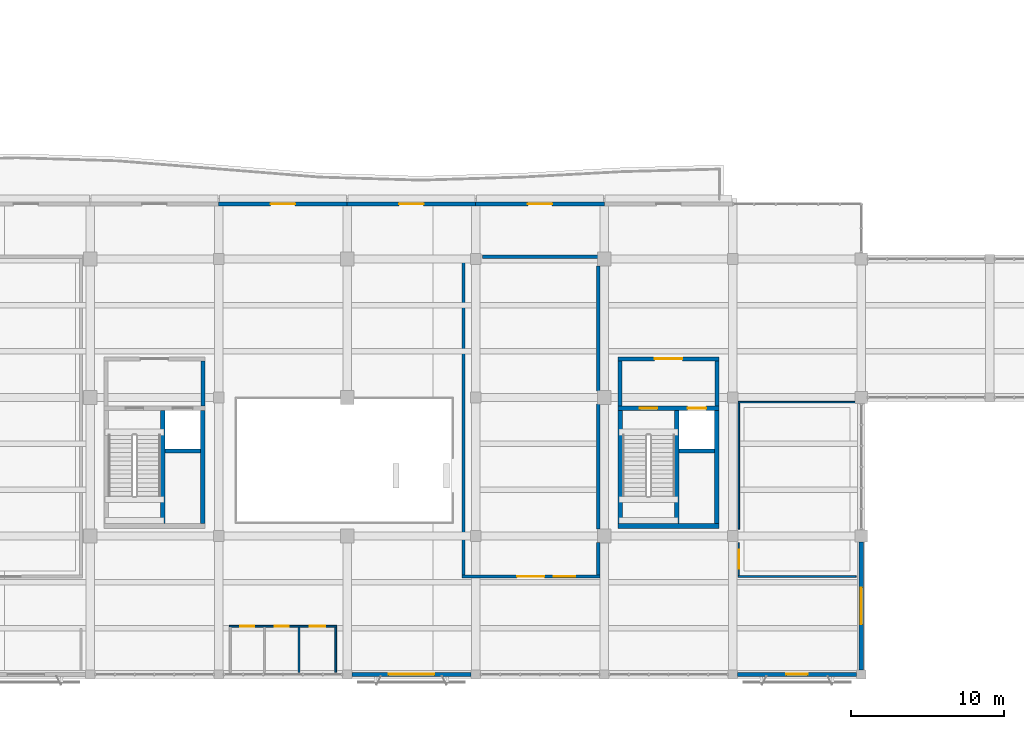
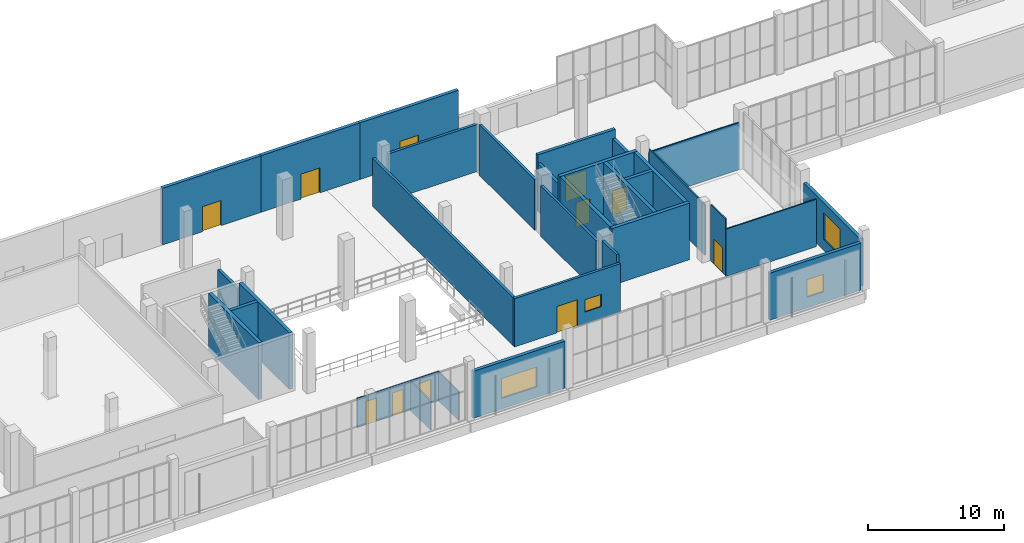
# One storey, part 113 of 132: 32 walls, 11 doors, 4 windows, 15 openings.
"""IFC4 building model written with IfcOpenShell, lengths in metres."""

import ifcopenshell
import ifcopenshell.guid

model = None  # the IFC model being written
_history = None  # IfcOwnerHistory: only IFC2X3 demands one
_inside = {}  # id of a spatial element -> (the spatial element, [elements in it])
_under = {}  # id of a project, library or spatial element -> (it, [spatial elements below it])
_declared = {}  # id of a project -> (the project, [libraries it declares])
_typed = {}  # id of a type object -> (the type object, [elements of that type])
_made_of = {}  # id of a material, layer set ... -> (it, [elements and type objects made of it])


def new_model(schema):
    """Start an empty IFC model of exactly this schema.

    Asked for "IFC4X3", IfcOpenShell would pick the latest addendum, in which some entities
    have other attributes; the version numbers below select the first issue.
    IFC2X3 requires an IfcOwnerHistory on every rooted entity: one is made here for all.
    """
    global model, _history
    if schema == "IFC4X3":
        model = ifcopenshell.file(schema_version=(4, 3, 0, 0))
    else:
        model = ifcopenshell.file(schema=schema)
    _inside.clear()
    _under.clear()
    _declared.clear()
    _typed.clear()
    _made_of.clear()
    _history = None
    if model.schema == "IFC2X3":
        org = make("IfcOrganization", Name="unknown")
        user = make(
            "IfcPersonAndOrganization",
            ThePerson=make("IfcPerson", FamilyName="unknown"),
            TheOrganization=org,
        )
        app = make(
            "IfcApplication",
            ApplicationDeveloper=org,
            Version="unknown",
            ApplicationFullName="unknown",
            ApplicationIdentifier="unknown",
        )
        _history = make(
            "IfcOwnerHistory",
            OwningUser=user,
            OwningApplication=app,
            ChangeAction="ADDED",
            CreationDate=0,
        )
    return model


def make(cls, **values):
    """One entity of the class cls with the attributes given. An attribute that is None is left unset."""
    return model.create_entity(
        cls, **{name: value for name, value in values.items() if value is not None}
    )


def rooted(cls, **values):
    """An entity with a GlobalId (a new one), such as an element, a storey or a relation."""
    return make(cls, GlobalId=ifcopenshell.guid.new(), OwnerHistory=_history, **values)


def si_unit(unit_type, name, prefix=None):
    """IfcSIUnit, for example si_unit("LENGTHUNIT", "METRE", prefix="MILLI")."""
    return make("IfcSIUnit", UnitType=unit_type, Prefix=prefix, Name=name)


def assignment(units):
    """IfcUnitAssignment: the units of a project."""
    return None if units is None else make("IfcUnitAssignment", Units=units)


def point(xyz):
    """IfcCartesianPoint."""
    return None if xyz is None else make("IfcCartesianPoint", Coordinates=xyz)


def direction(xyz):
    """IfcDirection."""
    return None if xyz is None else make("IfcDirection", DirectionRatios=xyz)


def frame(location, z_axis=None, x_axis=None):
    """IfcAxis2Placement3D, a coordinate frame: its origin and axes. An axis left out is left unset."""
    return make(
        "IfcAxis2Placement3D",
        Location=point(location),
        Axis=direction(z_axis),
        RefDirection=direction(x_axis),
    )


def frame_2d(location, x_axis=None):
    """IfcAxis2Placement2D, a coordinate frame in the plane: its origin and x axis."""
    return make(
        "IfcAxis2Placement2D", Location=point(location), RefDirection=direction(x_axis)
    )


def origin():
    """The frame at (0, 0, 0) with its axes left unset."""
    return frame((0.0, 0.0, 0.0))


def place(relative_to, where):
    """IfcLocalPlacement: puts the frame where relative to a parent placement (None: the world)."""
    return make(
        "IfcLocalPlacement", PlacementRelTo=relative_to, RelativePlacement=where
    )


def context(
    kind, dimensions, precision=None, world=None, true_north=None, identifier=None
):
    """IfcGeometricRepresentationContext, for example the 3D "Model" context."""
    return make(
        "IfcGeometricRepresentationContext",
        ContextIdentifier=identifier,
        ContextType=kind,
        CoordinateSpaceDimension=dimensions,
        Precision=precision,
        WorldCoordinateSystem=world,
        TrueNorth=true_north,
    )


def subcontext(parent, identifier, kind, view, scale=None):
    """IfcGeometricRepresentationSubContext, for example "Body" below "Model"."""
    return make(
        "IfcGeometricRepresentationSubContext",
        ContextIdentifier=identifier,
        ContextType=kind,
        ParentContext=parent,
        TargetScale=scale,
        TargetView=view,
    )


def project(units=None, contexts=None):
    """IfcProject with its units and contexts."""
    return rooted(
        "IfcProject",
        Name="project",
        RepresentationContexts=contexts,
        UnitsInContext=assignment(units),
    )


def spatial(cls, under=None, at=None, **own):
    """A site, building, storey or space (cls), placed at a placement, below another one or the project."""
    s = rooted(cls, ObjectPlacement=at, **own)
    if under is not None:
        _under.setdefault(under.id(), (under, []))[1].append(s)
    return s


def profile(cls, at=None, kind="AREA", **sizes):
    """A parametric profile (cls). Its sizes go by their IFC names, for example OverallWidth=200.0."""
    return make(cls, ProfileType=kind, Position=at, **sizes)


def rectangle(**sizes):
    """IfcRectangleProfileDef."""
    return profile("IfcRectangleProfileDef", **sizes)


def extrude(swept, where, along, depth):
    """IfcExtrudedAreaSolid: the profile swept, set in the frame where, extruded along a direction by depth."""
    return make(
        "IfcExtrudedAreaSolid",
        SweptArea=swept,
        Position=where,
        ExtrudedDirection=direction(along),
        Depth=depth,
    )


def shape(context_of_items, identifier, shape_type, items):
    """IfcShapeRepresentation: the items that make up one representation, for example the "Body"."""
    return make(
        "IfcShapeRepresentation",
        ContextOfItems=context_of_items,
        RepresentationIdentifier=identifier,
        RepresentationType=shape_type,
        Items=items,
    )


def material(Name=None, Category=None):
    """IfcMaterial."""
    return make("IfcMaterial", Name=Name, Category=Category)


def layer(
    of_material, thickness, ventilated=None, Name=None, Category=None, Priority=None
):
    """IfcMaterialLayer: one layer of a wall or slab, of a material (None: an air gap)."""
    return make(
        "IfcMaterialLayer",
        Material=of_material,
        LayerThickness=thickness,
        IsVentilated=ventilated,
        Name=Name,
        Category=Category,
        Priority=Priority,
    )


def layer_set(layers, Name=None):
    """IfcMaterialLayerSet."""
    return make("IfcMaterialLayerSet", MaterialLayers=layers, LayerSetName=Name)


def made_of(thing, what):
    """Note that an element or type object is made of a material, layer set ...; save() writes the relation."""
    if what is not None:
        _made_of.setdefault(what.id(), (what, []))[1].append(thing)
    return thing


def type_object(cls, material=None, **own):
    """A type object (cls), such as IfcWallType, which elements share."""
    return made_of(rooted(cls, **own), material)


def element(
    cls,
    number,
    at=None,
    inside=None,
    cuts=None,
    type_object=None,
    material=None,
    context=None,
    identifier="Body",
    shape_type=None,
    held_by="IfcProductDefinitionShape",
    body=None,
    shapes=None,
    **own,
):
    """One element of the class cls, such as IfcWall. Its Tag is "e" and its number.

    at: its placement. inside: the storey or other place that contains it. cuts: it is an
    opening in that element (IfcRelVoidsElement). A single representation is given by context,
    identifier, shape_type and body (its items); several are given by shapes. held_by: the class
    of the entity that holds the representations. save() writes the other relations.
    """
    e = rooted(cls, Tag="e%d" % number, ObjectPlacement=at, **own)
    if body is not None:
        shapes = [shape(context, identifier, shape_type, body)]
    if shapes is not None:
        e.Representation = make(held_by, Representations=shapes)
    if inside is not None:
        _inside.setdefault(inside.id(), (inside, []))[1].append(e)
    if cuts is not None:
        rooted(
            "IfcRelVoidsElement", RelatingBuildingElement=cuts, RelatedOpeningElement=e
        )
    if type_object is not None:
        _typed.setdefault(type_object.id(), (type_object, []))[1].append(e)
    return made_of(e, material)


def fill(opening, filler):
    """IfcRelFillsElement: the door or window that sits in an opening."""
    return rooted(
        "IfcRelFillsElement",
        RelatingOpeningElement=opening,
        RelatedBuildingElement=filler,
    )


def aggregate(whole, parts):
    """IfcRelAggregates: a whole, such as a stair, and the parts it consists of."""
    return rooted("IfcRelAggregates", RelatingObject=whole, RelatedObjects=parts)


def save(model, path):
    """Write the relations noted so far, then the file.

    IfcRelAggregates (storeys below a building ...), IfcRelContainedInSpatialStructure (elements
    in a storey), IfcRelDefinesByType, IfcRelAssociatesMaterial and IfcRelDeclares: one each for
    every whole, place, type object, material and project.
    """
    for whole, parts in _under.values():
        aggregate(whole, parts)
    for where, things in _inside.values():
        rooted(
            "IfcRelContainedInSpatialStructure",
            RelatedElements=things,
            RelatingStructure=where,
        )
    for kind, things in _typed.values():
        rooted("IfcRelDefinesByType", RelatedObjects=things, RelatingType=kind)
    for what, things in _made_of.values():
        rooted("IfcRelAssociatesMaterial", RelatedObjects=things, RelatingMaterial=what)
    for by, libraries in _declared.values():
        rooted("IfcRelDeclares", RelatingContext=by, RelatedDefinitions=libraries)
    model.write(path)


model = new_model("IFC4")

# Units and contexts
model_context = context("Model", 3, precision=1e-05, world=origin(), true_north=direction((0.0, 1.0)))
body_context = subcontext(model_context, "Body", "Model", "MODEL_VIEW")
ifc_project = project(units=[si_unit("LENGTHUNIT", "METRE"), si_unit("AREAUNIT", "SQUARE_METRE"), si_unit("VOLUMEUNIT", "CUBIC_METRE"), si_unit("PLANEANGLEUNIT", "RADIAN"), si_unit("MASSUNIT", "GRAM", prefix="KILO")], contexts=[model_context])

# Site, building, storey
site_placement = place(None, origin())
site = spatial("IfcSite", under=ifc_project, at=site_placement, CompositionType="ELEMENT")
building_placement = place(site_placement, origin())
building = spatial("IfcBuilding", under=site, at=building_placement, Name="Khurvash Pelagic Aquarium", CompositionType="ELEMENT")
storey_placement = place(building_placement, frame((0.0, 0.0, 5.39990234375)))
storey = spatial("IfcBuildingStorey", under=building, at=storey_placement, Name="L01", CompositionType="ELEMENT", Elevation=5.39990234375)

# Wall, opening, window
ifc_material_1 = material(Name="Glass-fibre reinforced concrete C40/50", Category="concrete")
ifc_layer_1 = layer(ifc_material_1, 0.280029296875)
ifc_layer_set_1 = layer_set([ifc_layer_1], Name="Glass-fibre reinforced concrete C40/50")
wall_type_1 = type_object("IfcWallType", Name="EW-280", PredefinedType="STANDARD", material=ifc_layer_set_1)
wall_1_placement = place(storey_placement, frame((75.905029296875, 2.60009765625, 0.0), z_axis=(0.0, 0.0, 1.0), x_axis=(1.0, 0.0, 0.0)))
wall_1 = element("IfcWall", 1, at=wall_1_placement, inside=storey, type_object=wall_type_1, Name="L01 Exterior Architectural Facade Wall EW-280 0041", PredefinedType="STANDARD", context=body_context, shape_type="SweptSolid", body=[
    extrude(rectangle(XDim=7.7900390625, YDim=0.280029296875, at=frame_2d((3.89501953125, 0.0))), origin(), (0.0, 0.0, 1.0), 4.22998046875),
])
opening_1_placement = place(wall_1_placement, frame((2.39501953125, 0.0, 0.9501953125)))
opening_1 = element("IfcOpeningElement", 2, at=opening_1_placement, cuts=wall_1, Name="Opening WN-06", PredefinedType="OPENING", context=body_context, shape_type="SweptSolid", body=[
    extrude(rectangle(XDim=3.0, YDim=1.800048828125, at=frame_2d((1.5, 0.89990234375))), frame((0.0, 0.14990234375, 0.0), z_axis=(0.0, -1.0, 0.0), x_axis=(1.0, 0.0, 0.0)), (0.0, 0.0, 1.0), 0.300048828125),
])
ifc_material_2 = material(Name="Thermally broken aluminium and low-E glass", Category="aluminium")
window_type_1 = type_object("IfcWindowType", Name="WN-06", PartitioningType="SINGLE_PANEL", PredefinedType="WINDOW", material=ifc_material_2)
window_1_placement = place(opening_1_placement, origin())
window_1 = element("IfcWindow", 3, at=window_1_placement, inside=storey, type_object=window_type_1, Name="L01 Facade Window WN-06 0021", OverallHeight=1.800048828125, OverallWidth=3.0, PartitioningType="SINGLE_PANEL", PredefinedType="WINDOW", context=body_context, shape_type="SweptSolid", body=[
    extrude(rectangle(XDim=3.0, YDim=1.800048828125, at=frame_2d((1.5, 0.89990234375))), frame((0.0, 0.030029296875, 0.0), z_axis=(0.0, -1.0, 0.0), x_axis=(1.0, 0.0, 0.0)), (0.0, 0.0, 1.0), 0.06005859375),
])
fill(opening_1, window_1)

wall_2_placement = place(storey_placement, frame((101.10498046875, 2.60009765625, 0.0), z_axis=(0.0, 0.0, 1.0), x_axis=(1.0, 0.0, 0.0)))
wall_2 = element("IfcWall", 4, at=wall_2_placement, inside=storey, type_object=wall_type_1, Name="L01 Exterior Architectural Facade Wall EW-280 0042", PredefinedType="STANDARD", context=body_context, shape_type="SweptSolid", body=[
    extrude(rectangle(XDim=7.7900390625, YDim=0.280029296875, at=frame_2d((3.89501953125, 0.0))), origin(), (0.0, 0.0, 1.0), 4.22998046875),
])
opening_2_placement = place(wall_2_placement, frame((3.195068359375, 0.0, 0.9501953125)))
opening_2 = element("IfcOpeningElement", 5, at=opening_2_placement, cuts=wall_2, Name="Opening WN-10", PredefinedType="OPENING", context=body_context, shape_type="SweptSolid", body=[
    extrude(rectangle(XDim=1.39990234375, YDim=1.60009765625, at=frame_2d((0.699951171875, 0.800048828125))), frame((0.0, 0.14990234375, 0.0), z_axis=(0.0, -1.0, 0.0), x_axis=(1.0, 0.0, 0.0)), (0.0, 0.0, 1.0), 0.300048828125),
])
window_type_2 = type_object("IfcWindowType", Name="WN-10", PartitioningType="SINGLE_PANEL", PredefinedType="WINDOW", material=ifc_material_2)
window_2_placement = place(opening_2_placement, origin())
window_2 = element("IfcWindow", 6, at=window_2_placement, inside=storey, type_object=window_type_2, Name="L01 Facade Window WN-10 0022", OverallHeight=1.60009765625, OverallWidth=1.39990234375, PartitioningType="SINGLE_PANEL", PredefinedType="WINDOW", context=body_context, shape_type="SweptSolid", body=[
    extrude(rectangle(XDim=1.39990234375, YDim=1.60009765625, at=frame_2d((0.699951171875, 0.800048828125))), frame((0.0, 0.030029296875, 0.0), z_axis=(0.0, -1.0, 0.0), x_axis=(1.0, 0.0, 0.0)), (0.0, 0.0, 1.0), 0.06005859375),
])
fill(opening_2, window_2)

wall_3_placement = place(storey_placement, frame((109.199951171875, 2.905029296875, 0.0), z_axis=(0.0, 0.0, 1.0), x_axis=(0.0, 1.0, 0.0)))
wall_3 = element("IfcWall", 7, at=wall_3_placement, inside=storey, type_object=wall_type_1, Name="L01 Exterior Architectural Facade Wall EW-280 0043", PredefinedType="STANDARD", context=body_context, shape_type="SweptSolid", body=[
    extrude(rectangle(XDim=8.340087890625, YDim=0.280029296875, at=frame_2d((4.169921875, 0.0))), origin(), (0.0, 0.0, 1.0), 4.25),
])
opening_3_placement = place(wall_3_placement, frame((2.969970703125, 0.0, 0.9501953125)))
opening_3 = element("IfcOpeningElement", 8, at=opening_3_placement, cuts=wall_3, Name="Opening WN-02", PredefinedType="OPENING", context=body_context, shape_type="SweptSolid", body=[
    extrude(rectangle(XDim=2.39990234375, YDim=2.39990234375, at=frame_2d((1.199951171875, 1.199951171875))), frame((0.0, 0.14990234375, 0.0), z_axis=(0.0, -1.0, 0.0), x_axis=(1.0, 0.0, 0.0)), (0.0, 0.0, 1.0), 0.300048828125),
])
window_type_3 = type_object("IfcWindowType", Name="WN-02", PartitioningType="SINGLE_PANEL", PredefinedType="WINDOW", material=ifc_material_2)
window_3_placement = place(opening_3_placement, origin())
window_3 = element("IfcWindow", 9, at=window_3_placement, inside=storey, type_object=window_type_3, Name="L01 Facade Window WN-02 0023", OverallHeight=2.39990234375, OverallWidth=2.39990234375, PartitioningType="SINGLE_PANEL", PredefinedType="WINDOW", context=body_context, shape_type="SweptSolid", body=[
    extrude(rectangle(XDim=2.39990234375, YDim=2.39990234375, at=frame_2d((1.199951171875, 1.199951171875))), frame((0.0, 0.030029296875, 0.0), z_axis=(0.0, -1.0, 0.0), x_axis=(1.0, 0.0, 0.0)), (0.0, 0.0, 1.0), 0.06005859375),
])
fill(opening_3, window_3)

# Wall, opening, door
wall_4_placement = place(storey_placement, frame((92.39990234375, 33.35009765625, 0.0), z_axis=(0.0, 0.0, 1.0), x_axis=(-1.0, 0.0, 0.0)))
wall_4 = element("IfcWall", 10, at=wall_4_placement, inside=storey, type_object=wall_type_1, Name="L01 Exterior Architectural Facade Wall EW-280 0057", PredefinedType="STANDARD", context=body_context, shape_type="SweptSolid", body=[
    extrude(rectangle(XDim=8.39990234375, YDim=0.280029296875, at=frame_2d((4.199951171875, 0.0))), origin(), (0.0, 0.0, 1.0), 5.10009765625),
])
opening_4_placement = place(wall_4_placement, frame((3.39990234375, 0.0, 0.0)))
opening_4 = element("IfcOpeningElement", 11, at=opening_4_placement, cuts=wall_4, Name="Opening ED-03", PredefinedType="OPENING", context=body_context, shape_type="SweptSolid", body=[
    extrude(rectangle(XDim=1.60009765625, YDim=2.25, at=frame_2d((0.800048828125, 1.125))), frame((0.0, 0.14990234375, 0.0), z_axis=(0.0, -1.0, 0.0), x_axis=(1.0, 0.0, 0.0)), (0.0, 0.0, 1.0), 0.300048828125),
])
ifc_material_3 = material(Name="Thermally broken glazed aluminium", Category="aluminium")
door_type_1 = type_object("IfcDoorType", Name="ED-03", OperationType="DOUBLE_DOOR_SINGLE_SWING", PredefinedType="DOOR", material=ifc_material_3)
door_1_placement = place(opening_4_placement, frame((1.60009765625, 0.0, 0.0), z_axis=(0.0, 0.0, 1.0), x_axis=(-1.0, 0.0, 0.0)))
door_1 = element("IfcDoor", 12, at=door_1_placement, inside=storey, type_object=door_type_1, Name="DR-0103", OperationType="DOUBLE_DOOR_SINGLE_SWING", OverallHeight=2.25, OverallWidth=1.60009765625, PredefinedType="DOOR", context=body_context, shape_type="SweptSolid", body=[
    extrude(rectangle(XDim=1.60009765625, YDim=2.25, at=frame_2d((0.800048828125, 1.125))), frame((0.0, 0.02490234375, 0.0), z_axis=(0.0, -1.0, 0.0), x_axis=(1.0, 0.0, 0.0)), (0.0, 0.0, 1.0), 0.050048828125),
])
fill(opening_4, door_1)

wall_5_placement = place(storey_placement, frame((84.0, 33.35009765625, 0.0), z_axis=(0.0, 0.0, 1.0), x_axis=(-1.0, 0.0, 0.0)))
wall_5 = element("IfcWall", 13, at=wall_5_placement, inside=storey, type_object=wall_type_1, Name="L01 Exterior Architectural Facade Wall EW-280 0058", PredefinedType="STANDARD", context=body_context, shape_type="SweptSolid", body=[
    extrude(rectangle(XDim=8.39990234375, YDim=0.280029296875, at=frame_2d((4.199951171875, 0.0))), origin(), (0.0, 0.0, 1.0), 5.10009765625),
])
opening_5_placement = place(wall_5_placement, frame((3.39990234375, 0.0, 0.0)))
opening_5 = element("IfcOpeningElement", 14, at=opening_5_placement, cuts=wall_5, Name="Opening ED-03", PredefinedType="OPENING", context=body_context, shape_type="SweptSolid", body=[
    extrude(rectangle(XDim=1.60009765625, YDim=2.25, at=frame_2d((0.800048828125, 1.125))), frame((0.0, 0.14990234375, 0.0), z_axis=(0.0, -1.0, 0.0), x_axis=(1.0, 0.0, 0.0)), (0.0, 0.0, 1.0), 0.300048828125),
])
door_2_placement = place(opening_5_placement, frame((1.60009765625, 0.0, 0.0), z_axis=(0.0, 0.0, 1.0), x_axis=(-1.0, 0.0, 0.0)))
door_2 = element("IfcDoor", 15, at=door_2_placement, inside=storey, type_object=door_type_1, Name="DR-0104", OperationType="DOUBLE_DOOR_SINGLE_SWING", OverallHeight=2.25, OverallWidth=1.60009765625, PredefinedType="DOOR", context=body_context, shape_type="SweptSolid", body=[
    extrude(rectangle(XDim=1.60009765625, YDim=2.25, at=frame_2d((0.800048828125, 1.125))), frame((0.0, 0.02490234375, 0.0), z_axis=(0.0, -1.0, 0.0), x_axis=(1.0, 0.0, 0.0)), (0.0, 0.0, 1.0), 0.050048828125),
])
fill(opening_5, door_2)

wall_6_placement = place(storey_placement, frame((75.60009765625, 33.35009765625, 0.0), z_axis=(0.0, 0.0, 1.0), x_axis=(-1.0, 0.0, 0.0)))
wall_6 = element("IfcWall", 16, at=wall_6_placement, inside=storey, type_object=wall_type_1, Name="L01 Exterior Architectural Facade Wall EW-280 0059", PredefinedType="STANDARD", context=body_context, shape_type="SweptSolid", body=[
    extrude(rectangle(XDim=8.400146484375, YDim=0.280029296875, at=frame_2d((4.2001953125, 0.0))), origin(), (0.0, 0.0, 1.0), 5.10009765625),
])
opening_6_placement = place(wall_6_placement, frame((3.39990234375, 0.0, 0.0)))
opening_6 = element("IfcOpeningElement", 17, at=opening_6_placement, cuts=wall_6, Name="Opening ED-03", PredefinedType="OPENING", context=body_context, shape_type="SweptSolid", body=[
    extrude(rectangle(XDim=1.60009765625, YDim=2.25, at=frame_2d((0.800048828125, 1.125))), frame((0.0, 0.14990234375, 0.0), z_axis=(0.0, -1.0, 0.0), x_axis=(1.0, 0.0, 0.0)), (0.0, 0.0, 1.0), 0.300048828125),
])
door_3_placement = place(opening_6_placement, frame((1.60009765625, 0.0, 0.0), z_axis=(0.0, 0.0, 1.0), x_axis=(-1.0, 0.0, 0.0)))
door_3 = element("IfcDoor", 18, at=door_3_placement, inside=storey, type_object=door_type_1, Name="DR-0105", OperationType="DOUBLE_DOOR_SINGLE_SWING", OverallHeight=2.25, OverallWidth=1.60009765625, PredefinedType="DOOR", context=body_context, shape_type="SweptSolid", body=[
    extrude(rectangle(XDim=1.60009765625, YDim=2.25, at=frame_2d((0.800048828125, 1.125))), frame((0.0, 0.02490234375, 0.0), z_axis=(0.0, -1.0, 0.0), x_axis=(1.0, 0.0, 0.0)), (0.0, 0.0, 1.0), 0.050048828125),
])
fill(opening_6, door_3)

# Wall, openings, doors
ifc_material_4 = material(Name="Ceramic-tiled wet-room partition", Category="masonry")
ifc_layer_2 = layer(ifc_material_4, 0.110107421875)
ifc_layer_set_2 = layer_set([ifc_layer_2], Name="Ceramic-tiled wet-room partition")
wall_type_2 = type_object("IfcWallType", Name="PW-110", PredefinedType="PARTITIONING", material=ifc_layer_set_2)
wall_7_placement = place(storey_placement, frame((67.89501953125, 5.75, 0.0), z_axis=(0.0, 0.0, 1.0), x_axis=(1.0, 0.0, 0.0)))
wall_7 = element("IfcWall", 19, at=wall_7_placement, inside=storey, type_object=wall_type_2, Name="L01 Restroom Bank Corridor Wall PW-110", PredefinedType="PARTITIONING", context=body_context, shape_type="SweptSolid", body=[
    extrude(rectangle(XDim=7.010009765625, YDim=0.110107421875, at=frame_2d((3.5048828125, 0.0))), origin(), (0.0, 0.0, 1.0), 2.6220703125),
])
opening_7_placement = place(wall_7_placement, frame((0.719970703125, 0.0, 0.0)))
opening_7 = element("IfcOpeningElement", 20, at=opening_7_placement, cuts=wall_7, Name="Opening ID-01", PredefinedType="OPENING", context=body_context, shape_type="SweptSolid", body=[
    extrude(rectangle(XDim=0.919921875, YDim=2.10009765625, at=frame_2d((0.4599609375, 1.050048828125))), frame((0.0, 0.06494140625, 0.0), z_axis=(0.0, -1.0, 0.0), x_axis=(1.0, 0.0, 0.0)), (0.0, 0.0, 1.0), 0.130126953125),
])
opening_8_placement = place(wall_7_placement, frame((2.969970703125, 0.0, 0.0)))
opening_8 = element("IfcOpeningElement", 21, at=opening_8_placement, cuts=wall_7, Name="Opening ID-01", PredefinedType="OPENING", context=body_context, shape_type="SweptSolid", body=[
    extrude(rectangle(XDim=0.919921875, YDim=2.10009765625, at=frame_2d((0.4599609375, 1.050048828125))), frame((0.0, 0.06494140625, 0.0), z_axis=(0.0, -1.0, 0.0), x_axis=(1.0, 0.0, 0.0)), (0.0, 0.0, 1.0), 0.130126953125),
])
opening_9_placement = place(wall_7_placement, frame((5.2548828125, 0.0, 0.0)))
opening_9 = element("IfcOpeningElement", 22, at=opening_9_placement, cuts=wall_7, Name="Opening ID-02", PredefinedType="OPENING", context=body_context, shape_type="SweptSolid", body=[
    extrude(rectangle(XDim=1.0, YDim=2.14990234375, at=frame_2d((0.5, 1.074951171875))), frame((0.0, 0.06494140625, 0.0), z_axis=(0.0, -1.0, 0.0), x_axis=(1.0, 0.0, 0.0)), (0.0, 0.0, 1.0), 0.130126953125),
])
ifc_material_5 = material(Name="High-pressure laminate solid-core timber", Category="wood")
door_type_2 = type_object("IfcDoorType", Name="ID-01", OperationType="NOTDEFINED", PredefinedType="DOOR", material=ifc_material_5)
door_4_placement = place(opening_7_placement, origin())
door_4 = element("IfcDoor", 23, at=door_4_placement, inside=storey, type_object=door_type_2, Name="DR-0111", OperationType="SINGLE_SWING_LEFT", OverallHeight=2.10009765625, OverallWidth=0.919921875, PredefinedType="DOOR", context=body_context, shape_type="SweptSolid", body=[
    extrude(rectangle(XDim=0.919921875, YDim=2.10009765625, at=frame_2d((0.4599609375, 1.050048828125))), frame((0.0, 0.02490234375, 0.0), z_axis=(0.0, -1.0, 0.0), x_axis=(1.0, 0.0, 0.0)), (0.0, 0.0, 1.0), 0.050048828125),
])
fill(opening_7, door_4)
door_5_placement = place(opening_8_placement, origin())
door_5 = element("IfcDoor", 24, at=door_5_placement, inside=storey, type_object=door_type_2, Name="DR-0112", OperationType="SINGLE_SWING_RIGHT", OverallHeight=2.10009765625, OverallWidth=0.919921875, PredefinedType="DOOR", context=body_context, shape_type="SweptSolid", body=[
    extrude(rectangle(XDim=0.919921875, YDim=2.10009765625, at=frame_2d((0.4599609375, 1.050048828125))), frame((0.0, 0.02490234375, 0.0), z_axis=(0.0, -1.0, 0.0), x_axis=(1.0, 0.0, 0.0)), (0.0, 0.0, 1.0), 0.050048828125),
])
fill(opening_8, door_5)
door_type_3 = type_object("IfcDoorType", Name="ID-02", OperationType="NOTDEFINED", PredefinedType="DOOR", material=ifc_material_5)
door_6_placement = place(opening_9_placement, origin())
door_6 = element("IfcDoor", 25, at=door_6_placement, inside=storey, type_object=door_type_3, Name="DR-0113", OperationType="SINGLE_SWING_LEFT", OverallHeight=2.14990234375, OverallWidth=1.0, PredefinedType="DOOR", context=body_context, shape_type="SweptSolid", body=[
    extrude(rectangle(XDim=1.0, YDim=2.14990234375, at=frame_2d((0.5, 1.074951171875))), frame((0.0, 0.02490234375, 0.0), z_axis=(0.0, -1.0, 0.0), x_axis=(1.0, 0.0, 0.0)), (0.0, 0.0, 1.0), 0.050048828125),
])
fill(opening_9, door_6)

# Walls
for number, where, z_axis, x_axis, name in (
    (26, (72.449951171875, 2.739990234375, 0.0), (0.0, 0.0, 1.0), (0.0, 1.0, 0.0), "L01 Restroom Divider Partition PW-110"),
    (27, (74.85009765625, 2.739990234375, 0.0), (0.0, 0.0, 1.0), (0.0, 1.0, 0.0), "L01 Restroom Divider Partition PW-110"),
):
    element("IfcWall", number, at=place(storey_placement, frame(where, z_axis=z_axis, x_axis=x_axis)), inside=storey, type_object=wall_type_2, Name=name, PredefinedType="PARTITIONING", context=body_context, shape_type="SweptSolid", body=[
        extrude(rectangle(XDim=2.955078125, YDim=0.110107421875, at=frame_2d((1.4775390625, 0.0))), origin(), (0.0, 0.0, 1.0), 2.6220703125),
    ])

# Wall, opening, door
wall_8_placement = place(storey_placement, frame((101.199951171875, 9.054931640625, 0.0), z_axis=(0.0, 0.0, 1.0), x_axis=(0.0, 1.0, 0.0)))
wall_8 = element("IfcWall", 28, at=wall_8_placement, inside=storey, type_object=wall_type_2, Name="L01 Jellyfish Kreisel Gallery Partition Wall PW-110", PredefinedType="PARTITIONING", context=body_context, shape_type="SweptSolid", body=[
    extrude(rectangle(XDim=2.155029296875, YDim=0.110107421875, at=frame_2d((1.07763671875, 0.0))), origin(), (0.0, 0.0, 1.0), 5.10009765625),
])
opening_10_placement = place(wall_8_placement, frame((0.447021484375, 0.0, 0.0)))
opening_10 = element("IfcOpeningElement", 29, at=opening_10_placement, cuts=wall_8, Name="Opening ID-30", PredefinedType="OPENING", context=body_context, shape_type="SweptSolid", body=[
    extrude(rectangle(XDim=1.260009765625, YDim=2.280029296875, at=frame_2d((0.6298828125, 1.14013671875))), frame((0.0, 0.06494140625, 0.0), z_axis=(0.0, -1.0, 0.0), x_axis=(1.0, 0.0, 0.0)), (0.0, 0.0, 1.0), 0.130126953125),
])
ifc_material_6 = material(Name="FRP quarantine prep door", Category="wood")
door_type_4 = type_object("IfcDoorType", Name="ID-30", OperationType="NOTDEFINED", PredefinedType="DOOR", material=ifc_material_6)
door_7_placement = place(opening_10_placement, frame((1.260009765625, 0.0, 0.0), z_axis=(0.0, 0.0, 1.0), x_axis=(-1.0, 0.0, 0.0)))
door_7 = element("IfcDoor", 30, at=door_7_placement, inside=storey, type_object=door_type_4, Name="DR-0117", OperationType="SINGLE_SWING_RIGHT", OverallHeight=2.280029296875, OverallWidth=1.260009765625, PredefinedType="DOOR", context=body_context, shape_type="SweptSolid", body=[
    extrude(rectangle(XDim=1.260009765625, YDim=2.280029296875, at=frame_2d((0.6298828125, 1.14013671875))), frame((0.0, 0.02490234375, 0.0), z_axis=(0.0, -1.0, 0.0), x_axis=(1.0, 0.0, 0.0)), (0.0, 0.0, 1.0), 0.050048828125),
])
fill(opening_10, door_7)

# Walls
wall_9_placement = place(storey_placement, frame((101.199951171875, 12.090087890625, 0.0), z_axis=(0.0, 0.0, 1.0), x_axis=(0.0, 1.0, 0.0)))
element("IfcWall", 31, at=wall_9_placement, inside=storey, type_object=wall_type_2, Name="L01 Jellyfish Kreisel Gallery Partition Wall PW-110", PredefinedType="PARTITIONING", context=body_context, shape_type="SweptSolid", body=[
    extrude(rectangle(XDim=8.2548828125, YDim=0.110107421875, at=frame_2d((4.12744140625, 0.0))), origin(), (0.0, 0.0, 1.0), 4.550048828125),
])
for number, where, z_axis, x_axis, name in (
    (32, (101.14501953125, 20.39990234375, 0.0), (0.0, 0.0, 1.0), (1.0, 0.0, 0.0), "L01 Jellyfish Kreisel Gallery Partition Wall PW-110"),
    (33, (101.14501953125, 9.0, 0.0), (0.0, 0.0, 1.0), (1.0, 0.0, 0.0), "L01 Jellyfish Kreisel Gallery Partition Wall PW-110"),
):
    element("IfcWall", number, at=place(storey_placement, frame(where, z_axis=z_axis, x_axis=x_axis)), inside=storey, type_object=wall_type_2, Name=name, PredefinedType="PARTITIONING", context=body_context, shape_type="SweptSolid", body=[
        extrude(rectangle(XDim=7.7099609375, YDim=0.110107421875, at=frame_2d((3.85498046875, 0.0))), origin(), (0.0, 0.0, 1.0), 4.25),
    ])

# Wall, openings, door, window
ifc_material_7 = material(Name="AAC blockwork", Category="masonry")
ifc_layer_3 = layer(ifc_material_7, 0.215087890625)
ifc_layer_set_3 = layer_set([ifc_layer_3], Name="AAC blockwork")
wall_type_3 = type_object("IfcWallType", Name="PW-215", PredefinedType="PARTITIONING", material=ifc_layer_set_3)
wall_10_placement = place(storey_placement, frame((83.093017578125, 9.0, 0.0), z_axis=(0.0, 0.0, 1.0), x_axis=(1.0, 0.0, 0.0)))
wall_10 = element("IfcWall", 34, at=wall_10_placement, inside=storey, type_object=wall_type_3, Name="L01 Seahorse and Cephalopod Gallery Partition Wall PW-215", PredefinedType="PARTITIONING", context=body_context, shape_type="SweptSolid", body=[
    extrude(rectangle(XDim=9.014892578125, YDim=0.215087890625, at=frame_2d((4.50732421875, 0.0))), origin(), (0.0, 0.0, 1.0), 4.35009765625),
])
opening_11_placement = place(wall_10_placement, frame((3.617919921875, 0.0, 0.0)))
opening_11 = element("IfcOpeningElement", 35, at=opening_11_placement, cuts=wall_10, Name="Opening ID-34", PredefinedType="OPENING", context=body_context, shape_type="SweptSolid", body=[
    extrude(rectangle(XDim=1.780029296875, YDim=2.3798828125, at=frame_2d((0.89013671875, 1.18994140625))), frame((0.0, 0.11767578125, 0.0), z_axis=(0.0, -1.0, 0.0), x_axis=(1.0, 0.0, 0.0)), (0.0, 0.0, 1.0), 0.235107421875),
])
opening_12_placement = place(wall_10_placement, frame((5.998046875, 0.0, 1.050048828125)))
opening_12 = element("IfcOpeningElement", 36, at=opening_12_placement, cuts=wall_10, Name="Opening IW-11", PredefinedType="OPENING", context=body_context, shape_type="SweptSolid", body=[
    extrude(rectangle(XDim=1.39990234375, YDim=1.10009765625, at=frame_2d((0.699951171875, 0.550048828125))), frame((0.0, 0.11767578125, 0.0), z_axis=(0.0, -1.0, 0.0), x_axis=(1.0, 0.0, 0.0)), (0.0, 0.0, 1.0), 0.235107421875),
])
ifc_material_8 = material(Name="Freshwater hall double door", Category="wood")
door_type_5 = type_object("IfcDoorType", Name="ID-34", OperationType="DOUBLE_DOOR_SINGLE_SWING", PredefinedType="DOOR", material=ifc_material_8)
door_8_placement = place(opening_11_placement, origin())
door_8 = element("IfcDoor", 37, at=door_8_placement, inside=storey, type_object=door_type_5, Name="DR-0116", OperationType="DOUBLE_DOOR_SINGLE_SWING", OverallHeight=2.3798828125, OverallWidth=1.780029296875, PredefinedType="DOOR", context=body_context, shape_type="SweptSolid", body=[
    extrude(rectangle(XDim=1.780029296875, YDim=2.3798828125, at=frame_2d((0.89013671875, 1.18994140625))), frame((0.0, 0.02490234375, 0.0), z_axis=(0.0, -1.0, 0.0), x_axis=(1.0, 0.0, 0.0)), (0.0, 0.0, 1.0), 0.050048828125),
])
fill(opening_11, door_8)
ifc_material_9 = material(Name="Acoustic laminated interior observation glazing", Category="glass")
window_type_4 = type_object("IfcWindowType", Name="IW-11", PartitioningType="SINGLE_PANEL", PredefinedType="WINDOW", material=ifc_material_9)
window_4_placement = place(opening_12_placement, origin())
window_4 = element("IfcWindow", 38, at=window_4_placement, inside=storey, type_object=window_type_4, Name="L01 Seahorse and Cephalopod Gallery Observation Window IW-11", OverallHeight=1.10009765625, OverallWidth=1.39990234375, PartitioningType="SINGLE_PANEL", PredefinedType="WINDOW", context=body_context, shape_type="SweptSolid", body=[
    extrude(rectangle(XDim=1.39990234375, YDim=1.10009765625, at=frame_2d((0.699951171875, 0.550048828125))), frame((0.0, 0.030029296875, 0.0), z_axis=(0.0, -1.0, 0.0), x_axis=(1.0, 0.0, 0.0)), (0.0, 0.0, 1.0), 0.06005859375),
])
fill(opening_12, window_4)

# Walls
wall_11_placement = place(storey_placement, frame((84.43994140625, 29.89990234375, 0.0), z_axis=(0.0, 0.0, 1.0), x_axis=(1.0, 0.0, 0.0)))
element("IfcWall", 39, at=wall_11_placement, inside=storey, type_object=wall_type_3, Name="L01 Seahorse and Cephalopod Gallery Partition Wall PW-215", PredefinedType="PARTITIONING", context=body_context, shape_type="SweptSolid", body=[
    extrude(rectangle(XDim=7.66796875, YDim=0.215087890625, at=frame_2d((3.833984375, 0.0))), origin(), (0.0, 0.0, 1.0), 4.22998046875),
])
wall_12_placement = place(storey_placement, frame((92.0, 9.10693359375, 0.0), z_axis=(0.0, 0.0, 1.0), x_axis=(0.0, 1.0, 0.0)))
element("IfcWall", 40, at=wall_12_placement, inside=storey, type_object=wall_type_3, Name="L01 Seahorse and Cephalopod Gallery Partition Wall PW-215", PredefinedType="PARTITIONING", context=body_context, shape_type="SweptSolid", body=[
    extrude(rectangle(XDim=2.10302734375, YDim=0.215087890625, at=frame_2d((1.051513671875, 0.0))), origin(), (0.0, 0.0, 1.0), 5.10009765625),
])
wall_13_placement = place(storey_placement, frame((92.0, 12.090087890625, 0.0), z_axis=(0.0, 0.0, 1.0), x_axis=(0.0, 1.0, 0.0)))
element("IfcWall", 41, at=wall_13_placement, inside=storey, type_object=wall_type_3, Name="L01 Seahorse and Cephalopod Gallery Partition Wall PW-215", PredefinedType="PARTITIONING", context=body_context, shape_type="SweptSolid", body=[
    extrude(rectangle(XDim=8.169921875, YDim=0.215087890625, at=frame_2d((4.0849609375, 0.0))), origin(), (0.0, 0.0, 1.0), 4.550048828125),
])
wall_14_placement = place(storey_placement, frame((92.0, 21.139892578125, 0.0), z_axis=(0.0, 0.0, 1.0), x_axis=(0.0, 1.0, 0.0)))
element("IfcWall", 42, at=wall_14_placement, inside=storey, type_object=wall_type_3, Name="L01 Seahorse and Cephalopod Gallery Partition Wall PW-215", PredefinedType="PARTITIONING", context=body_context, shape_type="SweptSolid", body=[
    extrude(rectangle(XDim=8.170166015625, YDim=0.215087890625, at=frame_2d((4.0849609375, 0.0))), origin(), (0.0, 0.0, 1.0), 4.550048828125),
])
wall_15_placement = place(storey_placement, frame((83.199951171875, 9.10693359375, 0.0), z_axis=(0.0, 0.0, 1.0), x_axis=(0.0, 1.0, 0.0)))
element("IfcWall", 43, at=wall_15_placement, inside=storey, type_object=wall_type_3, Name="L01 Seahorse and Cephalopod Gallery Partition Wall PW-215", PredefinedType="PARTITIONING", context=body_context, shape_type="SweptSolid", body=[
    extrude(rectangle(XDim=20.68505859375, YDim=0.215087890625, at=frame_2d((10.342529296875, 0.0))), origin(), (0.0, 0.0, 1.0), 4.330078125),
])
ifc_layer_4 = layer(ifc_material_7, 0.25)
ifc_layer_set_4 = layer_set([ifc_layer_4], Name="AAC blockwork")
wall_type_4 = type_object("IfcWallType", Name="PW-250", PredefinedType="PARTITIONING", material=ifc_layer_set_4)
wall_16_placement = place(storey_placement, frame((66.175048828125, 20.14990234375, 0.0), z_axis=(0.0, 0.0, 1.0), x_axis=(0.0, 1.0, 0.0)))
element("IfcWall", 44, at=wall_16_placement, inside=storey, type_object=wall_type_4, Name="L01 Core C2 Lobby East Fire Wall PW-250", PredefinedType="PARTITIONING", context=body_context, shape_type="SweptSolid", body=[
    extrude(rectangle(XDim=2.9501953125, YDim=0.25, at=frame_2d((1.47509765625, 0.0))), origin(), (0.0, 0.0, 1.0), 4.330078125),
])

# Wall, opening, door
wall_17_placement = place(storey_placement, frame((93.300048828125, 23.22509765625, 0.0), z_axis=(0.0, 0.0, 1.0), x_axis=(1.0, 0.0, 0.0)))
wall_17 = element("IfcWall", 45, at=wall_17_placement, inside=storey, type_object=wall_type_4, Name="L01 Core C3 Lobby Front Fire Wall PW-250", PredefinedType="PARTITIONING", context=body_context, shape_type="SweptSolid", body=[
    extrude(rectangle(XDim=6.599853515625, YDim=0.25, at=frame_2d((3.2998046875, 0.0))), origin(), (0.0, 0.0, 1.0), 5.10009765625),
])
opening_13_placement = place(wall_17_placement, frame((2.39990234375, 0.0, 0.0)))
opening_13 = element("IfcOpeningElement", 46, at=opening_13_placement, cuts=wall_17, Name="Opening FD-02", PredefinedType="OPENING", context=body_context, shape_type="SweptSolid", body=[
    extrude(rectangle(XDim=1.800048828125, YDim=2.25, at=frame_2d((0.89990234375, 1.125))), frame((0.0, 0.135009765625, 0.0), z_axis=(0.0, -1.0, 0.0), x_axis=(1.0, 0.0, 0.0)), (0.0, 0.0, 1.0), 0.27001953125),
])
ifc_material_10 = material(Name="Galvanised steel double fire door", Category="steel")
door_type_6 = type_object("IfcDoorType", Name="FD-02", OperationType="DOUBLE_DOOR_SINGLE_SWING", PredefinedType="DOOR", material=ifc_material_10)
door_9_placement = place(opening_13_placement, origin())
door_9 = element("IfcDoor", 47, at=door_9_placement, inside=storey, type_object=door_type_6, Name="DR-0128", OperationType="DOUBLE_DOOR_SINGLE_SWING", OverallHeight=2.25, OverallWidth=1.800048828125, PredefinedType="DOOR", context=body_context, shape_type="SweptSolid", body=[
    extrude(rectangle(XDim=1.800048828125, YDim=2.25, at=frame_2d((0.89990234375, 1.125))), frame((0.0, 0.02490234375, 0.0), z_axis=(0.0, -1.0, 0.0), x_axis=(1.0, 0.0, 0.0)), (0.0, 0.0, 1.0), 0.050048828125),
])
fill(opening_13, door_9)

# Walls
for number, where, z_axis, x_axis, name in (
    (48, (93.425048828125, 20.14990234375, 0.0), (0.0, 0.0, 1.0), (0.0, 1.0, 0.0), "L01 Core C3 Lobby West Fire Wall PW-250"),
    (49, (99.77490234375, 20.14990234375, 0.0), (0.0, 0.0, 1.0), (0.0, 1.0, 0.0), "L01 Core C3 Lobby East Fire Wall PW-250"),
):
    element("IfcWall", number, at=place(storey_placement, frame(where, z_axis=z_axis, x_axis=x_axis)), inside=storey, type_object=wall_type_4, Name=name, PredefinedType="PARTITIONING", context=body_context, shape_type="SweptSolid", body=[
        extrude(rectangle(XDim=2.9501953125, YDim=0.25, at=frame_2d((1.47509765625, 0.0))), origin(), (0.0, 0.0, 1.0), 4.330078125),
    ])
ifc_material_11 = material(Name="Concrete C40/50", Category="concrete")
ifc_layer_5 = layer(ifc_material_11, 0.27490234375)
ifc_layer_set_5 = layer_set([ifc_layer_5], Name="Concrete C40/50")
wall_type_5 = type_object("IfcWallType", Name="SW-275", PredefinedType="SHEAR", material=ifc_layer_set_5)
for number, where, z_axis, x_axis, name in (
    (50, (63.699951171875, 17.212890625, 0.0), (0.0, 0.0, 1.0), (1.0, 0.0, 0.0), "L01 Lift PL-01 Shaft Rear Shear Wall SW-275"),
    (51, (97.300048828125, 17.212890625, 0.0), (0.0, 0.0, 1.0), (1.0, 0.0, 0.0), "L01 Lift FL-02 Shaft Rear Shear Wall SW-275"),
):
    element("IfcWall", number, at=place(storey_placement, frame(where, z_axis=z_axis, x_axis=x_axis)), inside=storey, type_object=wall_type_5, Name=name, PredefinedType="SHEAR", context=body_context, shape_type="SweptSolid", body=[
        extrude(rectangle(XDim=2.300048828125, YDim=0.27490234375, at=frame_2d((1.14990234375, 0.0))), origin(), (0.0, 0.0, 1.0), 5.10009765625),
    ])
ifc_layer_6 = layer(ifc_material_11, 0.300048828125)
ifc_layer_set_6 = layer_set([ifc_layer_6], Name="Concrete C40/50")
wall_type_6 = type_object("IfcWallType", Name="SW-300", PredefinedType="SHEAR", material=ifc_layer_set_6)
for number, where, z_axis, x_axis, name in (
    (52, (66.14990234375, 12.449951171875, 0.0), (0.0, 0.0, 1.0), (0.0, 1.0, 0.0), "L01 Core C2 East Shear Wall SW-300"),
    (53, (63.550048828125, 12.449951171875, 0.0), (0.0, 0.0, 1.0), (0.0, 1.0, 0.0), "L01 Core C2 Divider Shear Wall SW-300"),
):
    element("IfcWall", number, at=place(storey_placement, frame(where, z_axis=z_axis, x_axis=x_axis)), inside=storey, type_object=wall_type_6, Name=name, PredefinedType="SHEAR", context=body_context, shape_type="SweptSolid", body=[
        extrude(rectangle(XDim=7.400146484375, YDim=0.300048828125, at=frame_2d((3.7001953125, 0.0))), origin(), (0.0, 0.0, 1.0), 5.10009765625),
    ])
wall_18_placement = place(storey_placement, frame((93.300048828125, 12.300048828125, 0.0), z_axis=(0.0, 0.0, 1.0), x_axis=(1.0, 0.0, 0.0)))
element("IfcWall", 54, at=wall_18_placement, inside=storey, type_object=wall_type_6, Name="L01 Core C3 South Shear Wall SW-300", PredefinedType="SHEAR", context=body_context, shape_type="SweptSolid", body=[
    extrude(rectangle(XDim=6.599853515625, YDim=0.300048828125, at=frame_2d((3.2998046875, 0.0))), origin(), (0.0, 0.0, 1.0), 5.10009765625),
])

# Wall, openings, doors
wall_19_placement = place(storey_placement, frame((93.300048828125, 20.0, 0.0), z_axis=(0.0, 0.0, 1.0), x_axis=(1.0, 0.0, 0.0)))
wall_19 = element("IfcWall", 55, at=wall_19_placement, inside=storey, type_object=wall_type_6, Name="L01 Core C3 North Shear Wall SW-300", PredefinedType="SHEAR", context=body_context, shape_type="SweptSolid", body=[
    extrude(rectangle(XDim=6.599853515625, YDim=0.300048828125, at=frame_2d((3.2998046875, 0.0))), origin(), (0.0, 0.0, 1.0), 5.10009765625),
])
opening_14_placement = place(wall_19_placement, frame((1.425048828125, 0.0, 0.0)))
opening_14 = element("IfcOpeningElement", 56, at=opening_14_placement, cuts=wall_19, Name="Opening FD-01", PredefinedType="OPENING", context=body_context, shape_type="SweptSolid", body=[
    extrude(rectangle(XDim=1.14990234375, YDim=2.199951171875, at=frame_2d((0.574951171875, 1.10009765625))), frame((0.0, 0.16015625, 0.0), z_axis=(0.0, -1.0, 0.0), x_axis=(1.0, 0.0, 0.0)), (0.0, 0.0, 1.0), 0.320068359375),
])
opening_15_placement = place(wall_19_placement, frame((4.550048828125, 0.0, 0.0)))
opening_15 = element("IfcOpeningElement", 57, at=opening_15_placement, cuts=wall_19, Name="Opening LD-01", PredefinedType="OPENING", context=body_context, shape_type="SweptSolid", body=[
    extrude(rectangle(XDim=1.199951171875, YDim=2.14990234375, at=frame_2d((0.60009765625, 1.074951171875))), frame((0.0, 0.16015625, 0.0), z_axis=(0.0, -1.0, 0.0), x_axis=(1.0, 0.0, 0.0)), (0.0, 0.0, 1.0), 0.320068359375),
])
ifc_material_12 = material(Name="Galvanised steel fire door", Category="steel")
door_type_7 = type_object("IfcDoorType", Name="FD-01", OperationType="NOTDEFINED", PredefinedType="DOOR", material=ifc_material_12)
door_10_placement = place(opening_14_placement, frame((1.14990234375, 0.0, 0.0), z_axis=(0.0, 0.0, 1.0), x_axis=(-1.0, 0.0, 0.0)))
door_10 = element("IfcDoor", 58, at=door_10_placement, inside=storey, type_object=door_type_7, Name="DR-0092", OperationType="SINGLE_SWING_LEFT", OverallHeight=2.199951171875, OverallWidth=1.14990234375, PredefinedType="DOOR", context=body_context, shape_type="SweptSolid", body=[
    extrude(rectangle(XDim=1.14990234375, YDim=2.199951171875, at=frame_2d((0.574951171875, 1.10009765625))), frame((0.0, 0.02490234375, 0.0), z_axis=(0.0, -1.0, 0.0), x_axis=(1.0, 0.0, 0.0)), (0.0, 0.0, 1.0), 0.050048828125),
])
fill(opening_14, door_10)
ifc_material_13 = material(Name="Brushed stainless steel 316 lift landing door", Category="steel")
door_type_8 = type_object("IfcDoorType", Name="LD-01", OperationType="DOUBLE_DOOR_SLIDING", PredefinedType="DOOR", material=ifc_material_13)
door_11_placement = place(opening_15_placement, origin())
door_11 = element("IfcDoor", 59, at=door_11_placement, inside=storey, type_object=door_type_8, Name="DR-0098", OperationType="DOUBLE_DOOR_SLIDING", OverallHeight=2.14990234375, OverallWidth=1.199951171875, PredefinedType="DOOR", context=body_context, shape_type="SweptSolid", body=[
    extrude(rectangle(XDim=1.199951171875, YDim=2.14990234375, at=frame_2d((0.60009765625, 1.074951171875))), frame((0.0, 0.02490234375, 0.0), z_axis=(0.0, -1.0, 0.0), x_axis=(1.0, 0.0, 0.0)), (0.0, 0.0, 1.0), 0.050048828125),
])
fill(opening_15, door_11)

# Walls
for number, where, z_axis, x_axis, name in (
    (60, (93.449951171875, 12.449951171875, 0.0), (0.0, 0.0, 1.0), (0.0, 1.0, 0.0), "L01 Core C3 West Shear Wall SW-300"),
    (61, (99.75, 12.449951171875, 0.0), (0.0, 0.0, 1.0), (0.0, 1.0, 0.0), "L01 Core C3 East Shear Wall SW-300"),
    (62, (97.14990234375, 12.449951171875, 0.0), (0.0, 0.0, 1.0), (0.0, 1.0, 0.0), "L01 Core C3 Divider Shear Wall SW-300"),
):
    element("IfcWall", number, at=place(storey_placement, frame(where, z_axis=z_axis, x_axis=x_axis)), inside=storey, type_object=wall_type_6, Name=name, PredefinedType="SHEAR", context=body_context, shape_type="SweptSolid", body=[
        extrude(rectangle(XDim=7.400146484375, YDim=0.300048828125, at=frame_2d((3.7001953125, 0.0))), origin(), (0.0, 0.0, 1.0), 5.10009765625),
    ])

save(model, "model.ifc")
